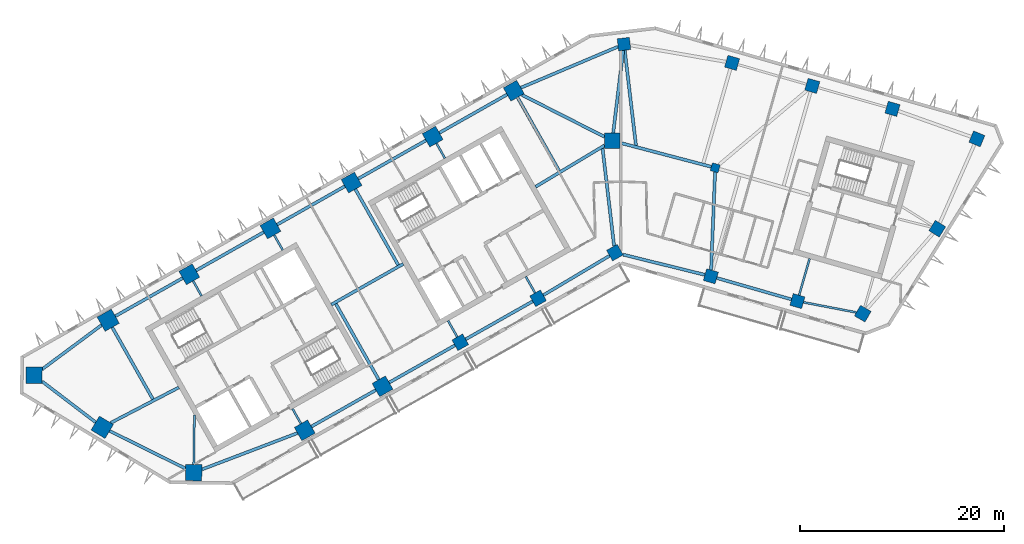
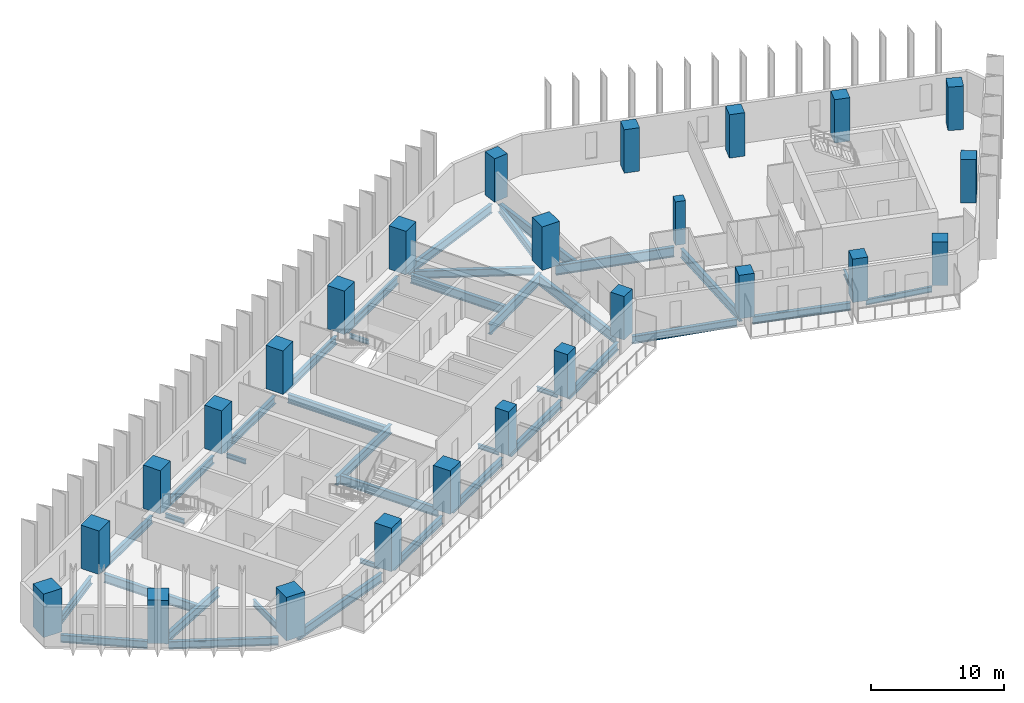
# One storey, part 1 of 10: 38 beams, 25 columns.
"""IFC4 building model written with IfcOpenShell, lengths in metres."""

import ifcopenshell
import ifcopenshell.guid

model = None  # the IFC model being written
_history = None  # IfcOwnerHistory: only IFC2X3 demands one
_inside = {}  # id of a spatial element -> (the spatial element, [elements in it])
_under = {}  # id of a project, library or spatial element -> (it, [spatial elements below it])
_declared = {}  # id of a project -> (the project, [libraries it declares])
_typed = {}  # id of a type object -> (the type object, [elements of that type])
_made_of = {}  # id of a material, layer set ... -> (it, [elements and type objects made of it])


def new_model(schema):
    """Start an empty IFC model of exactly this schema.

    Asked for "IFC4X3", IfcOpenShell would pick the latest addendum, in which some entities
    have other attributes; the version numbers below select the first issue.
    IFC2X3 requires an IfcOwnerHistory on every rooted entity: one is made here for all.
    """
    global model, _history
    if schema == "IFC4X3":
        model = ifcopenshell.file(schema_version=(4, 3, 0, 0))
    else:
        model = ifcopenshell.file(schema=schema)
    _inside.clear()
    _under.clear()
    _declared.clear()
    _typed.clear()
    _made_of.clear()
    _history = None
    if model.schema == "IFC2X3":
        org = make("IfcOrganization", Name="unknown")
        user = make(
            "IfcPersonAndOrganization",
            ThePerson=make("IfcPerson", FamilyName="unknown"),
            TheOrganization=org,
        )
        app = make(
            "IfcApplication",
            ApplicationDeveloper=org,
            Version="unknown",
            ApplicationFullName="unknown",
            ApplicationIdentifier="unknown",
        )
        _history = make(
            "IfcOwnerHistory",
            OwningUser=user,
            OwningApplication=app,
            ChangeAction="ADDED",
            CreationDate=0,
        )
    return model


def make(cls, **values):
    """One entity of the class cls with the attributes given. An attribute that is None is left unset."""
    return model.create_entity(
        cls, **{name: value for name, value in values.items() if value is not None}
    )


def rooted(cls, **values):
    """An entity with a GlobalId (a new one), such as an element, a storey or a relation."""
    return make(cls, GlobalId=ifcopenshell.guid.new(), OwnerHistory=_history, **values)


def si_unit(unit_type, name, prefix=None):
    """IfcSIUnit, for example si_unit("LENGTHUNIT", "METRE", prefix="MILLI")."""
    return make("IfcSIUnit", UnitType=unit_type, Prefix=prefix, Name=name)


def assignment(units):
    """IfcUnitAssignment: the units of a project."""
    return None if units is None else make("IfcUnitAssignment", Units=units)


def point(xyz):
    """IfcCartesianPoint."""
    return None if xyz is None else make("IfcCartesianPoint", Coordinates=xyz)


def direction(xyz):
    """IfcDirection."""
    return None if xyz is None else make("IfcDirection", DirectionRatios=xyz)


def frame(location, z_axis=None, x_axis=None):
    """IfcAxis2Placement3D, a coordinate frame: its origin and axes. An axis left out is left unset."""
    return make(
        "IfcAxis2Placement3D",
        Location=point(location),
        Axis=direction(z_axis),
        RefDirection=direction(x_axis),
    )


def frame_2d(location, x_axis=None):
    """IfcAxis2Placement2D, a coordinate frame in the plane: its origin and x axis."""
    return make(
        "IfcAxis2Placement2D", Location=point(location), RefDirection=direction(x_axis)
    )


def origin():
    """The frame at (0, 0, 0) with its axes left unset."""
    return frame((0.0, 0.0, 0.0))


def origin_2d():
    """The frame at (0, 0) in the plane with its x axis left unset."""
    return frame_2d((0.0, 0.0))


def place(relative_to, where):
    """IfcLocalPlacement: puts the frame where relative to a parent placement (None: the world)."""
    return make(
        "IfcLocalPlacement", PlacementRelTo=relative_to, RelativePlacement=where
    )


def context(
    kind, dimensions, precision=None, world=None, true_north=None, identifier=None
):
    """IfcGeometricRepresentationContext, for example the 3D "Model" context."""
    return make(
        "IfcGeometricRepresentationContext",
        ContextIdentifier=identifier,
        ContextType=kind,
        CoordinateSpaceDimension=dimensions,
        Precision=precision,
        WorldCoordinateSystem=world,
        TrueNorth=true_north,
    )


def subcontext(parent, identifier, kind, view, scale=None):
    """IfcGeometricRepresentationSubContext, for example "Body" below "Model"."""
    return make(
        "IfcGeometricRepresentationSubContext",
        ContextIdentifier=identifier,
        ContextType=kind,
        ParentContext=parent,
        TargetScale=scale,
        TargetView=view,
    )


def project(units=None, contexts=None):
    """IfcProject with its units and contexts."""
    return rooted(
        "IfcProject",
        Name="project",
        RepresentationContexts=contexts,
        UnitsInContext=assignment(units),
    )


def spatial(cls, under=None, at=None, **own):
    """A site, building, storey or space (cls), placed at a placement, below another one or the project."""
    s = rooted(cls, ObjectPlacement=at, **own)
    if under is not None:
        _under.setdefault(under.id(), (under, []))[1].append(s)
    return s


def profile(cls, at=None, kind="AREA", **sizes):
    """A parametric profile (cls). Its sizes go by their IFC names, for example OverallWidth=200.0."""
    return make(cls, ProfileType=kind, Position=at, **sizes)


def rectangle(**sizes):
    """IfcRectangleProfileDef."""
    return profile("IfcRectangleProfileDef", **sizes)


def i_section(**sizes):
    """IfcIShapeProfileDef."""
    return profile("IfcIShapeProfileDef", **sizes)


def extrude(swept, where, along, depth):
    """IfcExtrudedAreaSolid: the profile swept, set in the frame where, extruded along a direction by depth."""
    return make(
        "IfcExtrudedAreaSolid",
        SweptArea=swept,
        Position=where,
        ExtrudedDirection=direction(along),
        Depth=depth,
    )


def shape(context_of_items, identifier, shape_type, items):
    """IfcShapeRepresentation: the items that make up one representation, for example the "Body"."""
    return make(
        "IfcShapeRepresentation",
        ContextOfItems=context_of_items,
        RepresentationIdentifier=identifier,
        RepresentationType=shape_type,
        Items=items,
    )


def material(Name=None, Category=None):
    """IfcMaterial."""
    return make("IfcMaterial", Name=Name, Category=Category)


def material_profile(
    of_material, cross_section, Name=None, Category=None, Priority=None
):
    """IfcMaterialProfile: a cross section and its material."""
    return make(
        "IfcMaterialProfile",
        Name=Name,
        Material=of_material,
        Profile=cross_section,
        Priority=Priority,
        Category=Category,
    )


def profile_set(profiles, Name=None, composite=None):
    """IfcMaterialProfileSet."""
    return make(
        "IfcMaterialProfileSet",
        Name=Name,
        MaterialProfiles=profiles,
        CompositeProfile=composite,
    )


def made_of(thing, what):
    """Note that an element or type object is made of a material, layer set ...; save() writes the relation."""
    if what is not None:
        _made_of.setdefault(what.id(), (what, []))[1].append(thing)
    return thing


def type_object(cls, material=None, **own):
    """A type object (cls), such as IfcWallType, which elements share."""
    return made_of(rooted(cls, **own), material)


def element(
    cls,
    number,
    at=None,
    inside=None,
    cuts=None,
    type_object=None,
    material=None,
    context=None,
    identifier="Body",
    shape_type=None,
    held_by="IfcProductDefinitionShape",
    body=None,
    shapes=None,
    **own,
):
    """One element of the class cls, such as IfcWall. Its Tag is "e" and its number.

    at: its placement. inside: the storey or other place that contains it. cuts: it is an
    opening in that element (IfcRelVoidsElement). A single representation is given by context,
    identifier, shape_type and body (its items); several are given by shapes. held_by: the class
    of the entity that holds the representations. save() writes the other relations.
    """
    e = rooted(cls, Tag="e%d" % number, ObjectPlacement=at, **own)
    if body is not None:
        shapes = [shape(context, identifier, shape_type, body)]
    if shapes is not None:
        e.Representation = make(held_by, Representations=shapes)
    if inside is not None:
        _inside.setdefault(inside.id(), (inside, []))[1].append(e)
    if cuts is not None:
        rooted(
            "IfcRelVoidsElement", RelatingBuildingElement=cuts, RelatedOpeningElement=e
        )
    if type_object is not None:
        _typed.setdefault(type_object.id(), (type_object, []))[1].append(e)
    return made_of(e, material)


def aggregate(whole, parts):
    """IfcRelAggregates: a whole, such as a stair, and the parts it consists of."""
    return rooted("IfcRelAggregates", RelatingObject=whole, RelatedObjects=parts)


def save(model, path):
    """Write the relations noted so far, then the file.

    IfcRelAggregates (storeys below a building ...), IfcRelContainedInSpatialStructure (elements
    in a storey), IfcRelDefinesByType, IfcRelAssociatesMaterial and IfcRelDeclares: one each for
    every whole, place, type object, material and project.
    """
    for whole, parts in _under.values():
        aggregate(whole, parts)
    for where, things in _inside.values():
        rooted(
            "IfcRelContainedInSpatialStructure",
            RelatedElements=things,
            RelatingStructure=where,
        )
    for kind, things in _typed.values():
        rooted("IfcRelDefinesByType", RelatedObjects=things, RelatingType=kind)
    for what, things in _made_of.values():
        rooted("IfcRelAssociatesMaterial", RelatedObjects=things, RelatingMaterial=what)
    for by, libraries in _declared.values():
        rooted("IfcRelDeclares", RelatingContext=by, RelatedDefinitions=libraries)
    model.write(path)


model = new_model("IFC4")

# Units and contexts
model_context = context("Model", 3, precision=1e-05, world=origin(), true_north=direction((0.0, 1.0)))
body_context = subcontext(model_context, "Body", "Model", "MODEL_VIEW")
ifc_project = project(units=[si_unit("LENGTHUNIT", "METRE"), si_unit("AREAUNIT", "SQUARE_METRE"), si_unit("VOLUMEUNIT", "CUBIC_METRE"), si_unit("PLANEANGLEUNIT", "RADIAN"), si_unit("MASSUNIT", "GRAM", prefix="KILO")], contexts=[model_context])

# Site, building, storey
site_placement = place(None, origin())
site = spatial("IfcSite", under=ifc_project, at=site_placement, CompositionType="ELEMENT")
building_placement = place(site_placement, origin())
building = spatial("IfcBuilding", under=site, at=building_placement, Name="Binnacle Exchange Tower", CompositionType="ELEMENT")
storey_placement = place(building_placement, frame((0.0, 0.0, 162.89990234375)))
storey = spatial("IfcBuildingStorey", under=building, at=storey_placement, Name="L34", CompositionType="ELEMENT", Elevation=162.89990234375)

# Columns
ifc_material_1 = material(Name="Concrete C60/75", Category="concrete")
ifc_material_profile_1 = material_profile(ifc_material_1, rectangle(XDim=0.800048828125, YDim=0.800048828125, at=origin_2d()), Name="Column 800x800 C60/75")
ifc_profile_set_1 = profile_set([ifc_material_profile_1], Name="Concrete C60/75")
column_type_1 = type_object("IfcColumnType", Name="Column 800x800 C60/75", PredefinedType="COLUMN", material=ifc_profile_set_1)
column_placement = place(storey_placement, frame((9.240966796875, 57.35009765625, 0.0), z_axis=(0.0, 0.0, 1.0), x_axis=(0.961261695938, -0.275637355817, 0.0)))
element("IfcColumn", 1, at=column_placement, inside=storey, type_object=column_type_1, Name="S:COL:C19:L34", PredefinedType="COLUMN", context=body_context, shape_type="SweptSolid", body=[
    extrude(rectangle(XDim=0.800048828125, YDim=0.800048828125, at=origin_2d()), origin(), (0.0, 0.0, 1.0), 4.0),
])
ifc_material_2 = material(Name="Concrete C70/85", Category="concrete")
ifc_material_profile_2 = material_profile(ifc_material_2, rectangle(XDim=1.199951171875, YDim=1.199951171875, at=origin_2d()), Name="Mega column 1200x1200 C70/85")
ifc_profile_set_2 = profile_set([ifc_material_profile_2], Name="Concrete C70/85")
column_type_2 = type_object("IfcColumnType", Name="Mega column 1200x1200 C70/85", PredefinedType="COLUMN", material=ifc_profile_set_2)
for number, where, z_axis, x_axis, name in (
    (2, (26.602783203125, 63.12353515625, 0.0), (0.0, 0.0, 1.0), (-0.961261695938, 0.275637355817, 0.0), "S:COL:MC52:L34"),
    (3, (18.746337890625, 65.376220703125, 0.0), (0.0, 0.0, 1.0), (-0.961261695938, 0.275637355817, 0.0), "S:COL:MC50:L34"),
    (4, (10.889892578125, 67.62890625, 0.0), (0.0, 0.0, 1.0), (-0.961261695938, 0.275637355817, 0.0), "S:COL:MC48:L34"),
    (5, (0.300048828125, 69.464111328125, 0.0), (0.0, 0.0, 1.0), (-0.993068456955, -0.117537397458, 0.0), "S:COL:MC47:L34"),
    (6, (-15.736328125, 40.257080078125, 0.0), (0.0, 0.0, 1.0), (0.87035569594, 0.492423560103, 0.0), "S:COL:MC24:L34"),
    (7, (-8.116943359375, 44.568115234375, 0.0), (0.0, 0.0, 1.0), (0.87035569594, 0.492423560103, 0.0), "S:COL:MC35:L34"),
    (8, (-0.5908203125, 49.04443359375, 0.0), (0.0, 0.0, 1.0), (0.87035569594, 0.492423560103, 0.0), "S:COL:MC46:L34"),
    (9, (8.8095703125, 46.722412109375, 0.0), (0.0, 0.0, 1.0), (0.961261695938, -0.275637355817, 0.0), "S:COL:MC49:L34"),
    (10, (17.2880859375, 44.291015625, 0.0), (0.0, 0.0, 1.0), (0.961261695938, -0.275637355817, 0.0), "S:COL:MC51:L34"),
    (11, (23.690185546875, 43.062744140625, 0.0), (0.0, 0.0, 1.0), (-0.86532642813, 0.501208711795, 0.0), "S:COL:MC53:L34"),
    (12, (30.989501953125, 51.38623046875, 0.0), (0.0, 0.0, 1.0), (0.529919264233, 0.848048096156, 0.0), "S:COL:MC55:L34"),
    (13, (34.870361328125, 60.18701171875, 0.0), (0.0, 0.0, 1.0), (-0.922814001807, 0.385245789164, 0.0), "S:COL:MC54:L34"),
):
    element("IfcColumn", number, at=place(storey_placement, frame(where, z_axis=z_axis, x_axis=x_axis)), inside=storey, type_object=column_type_2, Name=name, PredefinedType="COLUMN", context=body_context, shape_type="SweptSolid", body=[
        extrude(rectangle(XDim=1.199951171875, YDim=1.199951171875, at=origin_2d()), origin(), (0.0, 0.0, 1.0), 4.0),
    ])
ifc_material_profile_3 = material_profile(ifc_material_2, rectangle(XDim=1.5, YDim=1.5, at=origin_2d()), Name="Mega column 1500x1500 C70/85")
ifc_profile_set_3 = profile_set([ifc_material_profile_3], Name="Concrete C70/85")
column_type_3 = type_object("IfcColumnType", Name="Mega column 1500x1500 C70/85", PredefinedType="COLUMN", material=ifc_profile_set_3)
for number, where, z_axis, x_axis, name in (
    (14, (-10.4951171875, 64.901611328125, 0.0), (0.0, 0.0, 1.0), (-0.87035569594, -0.492423560103, 0.0), "S:COL:MC38:L34"),
    (15, (-18.44140625, 60.406005859375, 0.0), (0.0, 0.0, 1.0), (-0.87035569594, -0.492423560103, 0.0), "S:COL:MC29:L34"),
    (16, (-26.3876953125, 55.91015625, 0.0), (0.0, 0.0, 1.0), (-0.87035569594, -0.492423560103, 0.0), "S:COL:MC21:L34"),
    (17, (-34.333740234375, 51.414306640625, 0.0), (0.0, 0.0, 1.0), (-0.87035569594, -0.492423560103, 0.0), "S:COL:MC13:L34"),
    (18, (-42.280029296875, 46.918701171875, 0.0), (0.0, 0.0, 1.0), (-0.87035569594, -0.492423560103, 0.0), "S:COL:MC08:L34"),
    (19, (-30.9755859375, 31.63525390625, 0.0), (0.0, 0.0, 1.0), (0.87035569594, 0.492423560103, 0.0), "S:COL:MC07:L34"),
    (20, (-23.35595703125, 35.9462890625, 0.0), (0.0, 0.0, 1.0), (0.87035569594, 0.492423560103, 0.0), "S:COL:MC16:L34"),
    (21, (-0.85009765625, 60.0, 0.0), (0.0, 0.0, 1.0), (0.0, 1.0, 0.0), "S:COL:MC45:L34"),
):
    element("IfcColumn", number, at=place(storey_placement, frame(where, z_axis=z_axis, x_axis=x_axis)), inside=storey, type_object=column_type_3, Name=name, PredefinedType="COLUMN", context=body_context, shape_type="SweptSolid", body=[
        extrude(rectangle(XDim=1.5, YDim=1.5, at=origin_2d()), origin(), (0.0, 0.0, 1.0), 4.0),
    ])
ifc_material_profile_4 = material_profile(ifc_material_2, rectangle(XDim=1.60009765625, YDim=1.60009765625, at=origin_2d()), Name="Mega column 1600x1600 C70/85")
ifc_profile_set_4 = profile_set([ifc_material_profile_4], Name="Concrete C70/85")
column_type_4 = type_object("IfcColumnType", Name="Mega column 1600x1600 C70/85", PredefinedType="COLUMN", material=ifc_profile_set_4)
for number, where, z_axis, x_axis, name in (
    (22, (-50.226318359375, 42.4228515625, 0.0), (0.0, 0.0, 1.0), (-0.87035569594, -0.492423560103, 0.0), "S:COL:MC04:L34"),
    (23, (-57.492919921875, 37.02734375, 0.0), (0.0, 0.0, 1.0), (-0.013089595571, -0.999914327574, 0.0), "S:COL:MC02:L34"),
    (24, (-50.81201171875, 31.930908203125, 0.0), (0.0, 0.0, 1.0), (0.857167300702, -0.51503807491, 0.0), "S:COL:MC01:L34"),
    (25, (-41.857666015625, 27.494873046875, 0.0), (0.0, 0.0, 1.0), (0.999914327574, -0.013089595571, 0.0), "S:COL:MC03:L34"),
):
    element("IfcColumn", number, at=place(storey_placement, frame(where, z_axis=z_axis, x_axis=x_axis)), inside=storey, type_object=column_type_4, Name=name, PredefinedType="COLUMN", context=body_context, shape_type="SweptSolid", body=[
        extrude(rectangle(XDim=1.60009765625, YDim=1.60009765625, at=origin_2d()), origin(), (0.0, 0.0, 1.0), 4.0),
    ])

# Beams
ifc_material_3 = material(Name="Steel S355 (SHN355)", Category="steel")
ifc_material_profile_5 = material_profile(ifc_material_3, i_section(OverallWidth=0.200927734375, OverallDepth=0.506103515625, WebThickness=0.010986328125, FlangeThickness=0.01904296875, FilletRadius=0.02001953125, at=origin_2d()), Name="H 506x201x11x19")
ifc_profile_set_5 = profile_set([ifc_material_profile_5], Name="Steel S355 (SHN355)")
beam_type_1 = type_object("IfcBeamType", Name="Edge girder H 506x201x11x19 Steel S355 (SHN355)", PredefinedType="SPANDREL", material=ifc_profile_set_5)
beam_1_placement = place(storey_placement, frame((17.8798828125, 44.177490234375, -0.572998046875), z_axis=(0.982085171807, -0.188437563446, 0.0), x_axis=(0.188437563446, 0.982085171807, 0.0)))
element("IfcBeam", 26, at=beam_1_placement, inside=storey, type_object=beam_type_1, Name="S:BM:edge:L34:028", PredefinedType="SPANDREL", context=body_context, shape_type="SweptSolid", body=[
    extrude(i_section(OverallWidth=0.200927734375, OverallDepth=0.506103515625, WebThickness=0.010986328125, FlangeThickness=0.01904296875, FilletRadius=0.02001953125, at=origin_2d()), origin(), (0.0, 0.0, 1.0), 5.281005859375),
])
ifc_material_profile_6 = material_profile(ifc_material_3, i_section(OverallWidth=0.300048828125, OverallDepth=0.699951171875, WebThickness=0.012939453125, FlangeThickness=0.02392578125, FilletRadius=0.028076171875, at=origin_2d()), Name="H 700x300x13x24")
ifc_profile_set_6 = profile_set([ifc_material_profile_6], Name="Steel S355 (SHN355)")
beam_type_2 = type_object("IfcBeamType", Name="Edge girder H 700x300x13x24 Steel S355 (SHN355)", PredefinedType="SPANDREL", material=ifc_profile_set_6)
beam_2_placement = place(storey_placement, frame((-56.70068359375, 36.423095703125, -0.669921875), z_axis=(0.795078424379, -0.606506635649, 0.0), x_axis=(0.606506635649, 0.795078424379, 0.0)))
element("IfcBeam", 27, at=beam_2_placement, inside=storey, type_object=beam_type_2, Name="S:BM:edge:L34:011", PredefinedType="SPANDREL", context=body_context, shape_type="SweptSolid", body=[
    extrude(i_section(OverallWidth=0.300048828125, OverallDepth=0.699951171875, WebThickness=0.012939453125, FlangeThickness=0.02392578125, FilletRadius=0.028076171875, at=origin_2d()), origin(), (0.0, 0.0, 1.0), 6.6015625),
])
beam_3_placement = place(storey_placement, frame((-50.87353515625, 41.9423828125, -0.669921875), z_axis=(-0.802872533272, -0.596150732044, 0.0), x_axis=(0.596150732044, -0.802872533272, 0.0)))
element("IfcBeam", 28, at=beam_3_placement, inside=storey, type_object=beam_type_2, Name="S:BM:edge:L34:012", PredefinedType="SPANDREL", context=body_context, shape_type="SweptSolid", body=[
    extrude(i_section(OverallWidth=0.300048828125, OverallDepth=0.699951171875, WebThickness=0.012939453125, FlangeThickness=0.02392578125, FilletRadius=0.028076171875, at=origin_2d()), origin(), (0.0, 0.0, 1.0), 7.238525390625),
])
beam_4_placement = place(storey_placement, frame((-50.0927734375, 31.57470703125, -0.669921875), z_axis=(0.896061869104, -0.443929191131, 0.0), x_axis=(0.443929191131, 0.896061869104, 0.0)))
element("IfcBeam", 29, at=beam_4_placement, inside=storey, type_object=beam_type_2, Name="S:BM:edge:L34:013", PredefinedType="SPANDREL", context=body_context, shape_type="SweptSolid", body=[
    extrude(i_section(OverallWidth=0.300048828125, OverallDepth=0.699951171875, WebThickness=0.012939453125, FlangeThickness=0.02392578125, FilletRadius=0.028076171875, at=origin_2d()), origin(), (0.0, 0.0, 1.0), 8.30322265625),
])
beam_5_placement = place(storey_placement, frame((-42.932861328125, 46.54931640625, -0.669921875), z_axis=(-0.870352192811, -0.492429751811, 0.0), x_axis=(0.492429751811, -0.870352192811, 0.0)))
element("IfcBeam", 30, at=beam_5_placement, inside=storey, type_object=beam_type_2, Name="S:BM:edge:L34:014", PredefinedType="SPANDREL", context=body_context, shape_type="SweptSolid", body=[
    extrude(i_section(OverallWidth=0.300048828125, OverallDepth=0.699951171875, WebThickness=0.012939453125, FlangeThickness=0.02392578125, FilletRadius=0.028076171875, at=origin_2d()), origin(), (0.0, 0.0, 1.0), 7.57958984375),
])
beam_6_placement = place(storey_placement, frame((-34.986572265625, 51.045166015625, -0.669921875), z_axis=(-0.870355964277, -0.492423085818, 0.0), x_axis=(0.492423085818, -0.870355964277, 0.0)))
element("IfcBeam", 31, at=beam_6_placement, inside=storey, type_object=beam_type_2, Name="S:BM:edge:L34:016", PredefinedType="SPANDREL", context=body_context, shape_type="SweptSolid", body=[
    extrude(i_section(OverallWidth=0.300048828125, OverallDepth=0.699951171875, WebThickness=0.012939453125, FlangeThickness=0.02392578125, FilletRadius=0.028076171875, at=origin_2d()), origin(), (0.0, 0.0, 1.0), 7.6298828125),
])
beam_7_placement = place(storey_placement, frame((-30.32275390625, 32.004638671875, -0.669921875), z_axis=(0.870355920795, 0.492423162674, 0.0), x_axis=(-0.492423162674, 0.870355920795, 0.0)))
element("IfcBeam", 32, at=beam_7_placement, inside=storey, type_object=beam_type_2, Name="S:BM:edge:L34:017", PredefinedType="SPANDREL", context=body_context, shape_type="SweptSolid", body=[
    extrude(i_section(OverallWidth=0.300048828125, OverallDepth=0.699951171875, WebThickness=0.012939453125, FlangeThickness=0.02392578125, FilletRadius=0.028076171875, at=origin_2d()), origin(), (0.0, 0.0, 1.0), 7.25439453125),
])
beam_8_placement = place(storey_placement, frame((-27.040283203125, 55.541015625, -0.669921875), z_axis=(-0.870342250182, -0.492447324643, 0.0), x_axis=(0.492447324643, -0.870342250182, 0.0)))
element("IfcBeam", 33, at=beam_8_placement, inside=storey, type_object=beam_type_2, Name="S:BM:edge:L34:018", PredefinedType="SPANDREL", context=body_context, shape_type="SweptSolid", body=[
    extrude(i_section(OverallWidth=0.300048828125, OverallDepth=0.699951171875, WebThickness=0.012939453125, FlangeThickness=0.02392578125, FilletRadius=0.028076171875, at=origin_2d()), origin(), (0.0, 0.0, 1.0), 7.6298828125),
])
beam_9_placement = place(storey_placement, frame((-22.703125, 36.3154296875, -0.669921875), z_axis=(0.87035151347, 0.49243095252, 0.0), x_axis=(-0.49243095252, 0.87035151347, 0.0)))
element("IfcBeam", 34, at=beam_9_placement, inside=storey, type_object=beam_type_2, Name="S:BM:edge:L34:019", PredefinedType="SPANDREL", context=body_context, shape_type="SweptSolid", body=[
    extrude(i_section(OverallWidth=0.300048828125, OverallDepth=0.699951171875, WebThickness=0.012939453125, FlangeThickness=0.02392578125, FilletRadius=0.028076171875, at=origin_2d()), origin(), (0.0, 0.0, 1.0), 7.404541015625),
])
beam_10_placement = place(storey_placement, frame((-19.093994140625, 60.03662109375, -0.669921875), z_axis=(-0.870363722936, -0.492409372165, 0.0), x_axis=(0.492409372165, -0.870363722936, 0.0)))
element("IfcBeam", 35, at=beam_10_placement, inside=storey, type_object=beam_type_2, Name="S:BM:edge:L34:020", PredefinedType="SPANDREL", context=body_context, shape_type="SweptSolid", body=[
    extrude(i_section(OverallWidth=0.300048828125, OverallDepth=0.699951171875, WebThickness=0.012939453125, FlangeThickness=0.02392578125, FilletRadius=0.028076171875, at=origin_2d()), origin(), (0.0, 0.0, 1.0), 7.6298828125),
])
beam_11_placement = place(storey_placement, frame((-15.214111328125, 40.552734375, -0.669921875), z_axis=(0.870353295418, 0.492427802988, 0.0), x_axis=(-0.492427802988, 0.870353295418, 0.0)))
element("IfcBeam", 36, at=beam_11_placement, inside=storey, type_object=beam_type_2, Name="S:BM:edge:L34:021", PredefinedType="SPANDREL", context=body_context, shape_type="SweptSolid", body=[
    extrude(i_section(OverallWidth=0.300048828125, OverallDepth=0.699951171875, WebThickness=0.012939453125, FlangeThickness=0.02392578125, FilletRadius=0.028076171875, at=origin_2d()), origin(), (0.0, 0.0, 1.0), 7.554443359375),
])
beam_12_placement = place(storey_placement, frame((-11.14794921875, 64.532470703125, -0.669921875), z_axis=(-0.870355964277, -0.492423085818, 0.0), x_axis=(0.492423085818, -0.870355964277, 0.0)))
element("IfcBeam", 37, at=beam_12_placement, inside=storey, type_object=beam_type_2, Name="S:BM:edge:L34:022", PredefinedType="SPANDREL", context=body_context, shape_type="SweptSolid", body=[
    extrude(i_section(OverallWidth=0.300048828125, OverallDepth=0.699951171875, WebThickness=0.012939453125, FlangeThickness=0.02392578125, FilletRadius=0.028076171875, at=origin_2d()), origin(), (0.0, 0.0, 1.0), 7.6298828125),
])
beam_13_placement = place(storey_placement, frame((-7.60107421875, 44.875, -0.669921875), z_axis=(0.85946222832, 0.511199254783, 0.0), x_axis=(-0.511199254783, 0.85946222832, 0.0)))
element("IfcBeam", 38, at=beam_13_placement, inside=storey, type_object=beam_type_2, Name="S:BM:edge:L34:023", PredefinedType="SPANDREL", context=body_context, shape_type="SweptSolid", body=[
    extrude(i_section(OverallWidth=0.300048828125, OverallDepth=0.699951171875, WebThickness=0.012939453125, FlangeThickness=0.02392578125, FilletRadius=0.028076171875, at=origin_2d()), origin(), (0.0, 0.0, 1.0), 7.556396484375),
])
beam_14_placement = place(storey_placement, frame((0.21044921875, 48.846435546875, -0.669921875), z_axis=(0.970817017645, -0.239821429924, 0.0), x_axis=(0.239821429924, 0.970817017645, 0.0)))
element("IfcBeam", 39, at=beam_14_placement, inside=storey, type_object=beam_type_2, Name="S:BM:edge:L34:025", PredefinedType="SPANDREL", context=body_context, shape_type="SweptSolid", body=[
    extrude(i_section(OverallWidth=0.300048828125, OverallDepth=0.699951171875, WebThickness=0.012939453125, FlangeThickness=0.02392578125, FilletRadius=0.028076171875, at=origin_2d()), origin(), (0.0, 0.0, 1.0), 8.257080078125),
])
beam_15_placement = place(storey_placement, frame((9.38623046875, 46.556884765625, -0.669921875), z_axis=(0.961266012815, -0.275622300635, 0.0), x_axis=(0.275622300635, 0.961266012815, 0.0)))
element("IfcBeam", 40, at=beam_15_placement, inside=storey, type_object=beam_type_2, Name="S:BM:edge:L34:026", PredefinedType="SPANDREL", context=body_context, shape_type="SweptSolid", body=[
    extrude(i_section(OverallWidth=0.300048828125, OverallDepth=0.699951171875, WebThickness=0.012939453125, FlangeThickness=0.02392578125, FilletRadius=0.028076171875, at=origin_2d()), origin(), (0.0, 0.0, 1.0), 7.620361328125),
])
ifc_material_profile_7 = material_profile(ifc_material_3, i_section(OverallWidth=0.300048828125, OverallDepth=0.800048828125, WebThickness=0.013916015625, FlangeThickness=0.02587890625, FilletRadius=0.028076171875, at=origin_2d()), Name="H 800x300x14x26")
ifc_profile_set_7 = profile_set([ifc_material_profile_7], Name="Steel S355 (SHN355)")
beam_type_3 = type_object("IfcBeamType", Name="Edge girder H 800x300x14x26 Steel S355 (SHN355)", PredefinedType="SPANDREL", material=ifc_profile_set_7)
beam_16_placement = place(storey_placement, frame((-41.0537109375, 27.80078125, -0.719970703125), z_axis=(0.934633884233, 0.355611448695, 0.0), x_axis=(-0.355611448695, 0.934633884233, 0.0)))
element("IfcBeam", 41, at=beam_16_placement, inside=storey, type_object=beam_type_3, Name="S:BM:edge:L34:015", PredefinedType="SPANDREL", context=body_context, shape_type="SweptSolid", body=[
    extrude(i_section(OverallWidth=0.300048828125, OverallDepth=0.800048828125, WebThickness=0.013916015625, FlangeThickness=0.02587890625, FilletRadius=0.028076171875, at=origin_2d()), origin(), (0.0, 0.0, 1.0), 10.024169921875),
])
beam_17_placement = place(storey_placement, frame((-0.275390625, 69.220947265625, -0.719970703125), z_axis=(-0.921111875234, -0.389297974953, 0.0), x_axis=(0.389297974953, -0.921111875234, 0.0)))
element("IfcBeam", 42, at=beam_17_placement, inside=storey, type_object=beam_type_3, Name="S:BM:edge:L34:024", PredefinedType="SPANDREL", context=body_context, shape_type="SweptSolid", body=[
    extrude(i_section(OverallWidth=0.300048828125, OverallDepth=0.800048828125, WebThickness=0.013916015625, FlangeThickness=0.02587890625, FilletRadius=0.028076171875, at=origin_2d()), origin(), (0.0, 0.0, 1.0), 10.340087890625),
])
ifc_material_profile_8 = material_profile(ifc_material_3, i_section(OverallWidth=0.199951171875, OverallDepth=0.39990234375, WebThickness=0.008056640625, FlangeThickness=0.012939453125, FilletRadius=0.01611328125, at=origin_2d()), Name="H 400x200x8x13")
ifc_profile_set_8 = profile_set([ifc_material_profile_8], Name="Steel S355 (SHN355)")
beam_type_4 = type_object("IfcBeamType", Name="Floor beam H 400x200x8x13 Steel S355 (SHN355)", PredefinedType="BEAM", material=ifc_profile_set_8)
beam_18_placement = place(storey_placement, frame((-41.91064453125, 46.265869140625, -0.52001953125), z_axis=(0.49243456751, -0.870349468157, 0.0), x_axis=(0.870349468157, 0.49243456751, 0.0)))
element("IfcBeam", 43, at=beam_18_placement, inside=storey, type_object=beam_type_4, Name="S:BM:cross:L34:035", PredefinedType="BEAM", context=body_context, shape_type="SweptSolid", body=[
    extrude(i_section(OverallWidth=0.199951171875, OverallDepth=0.39990234375, WebThickness=0.008056640625, FlangeThickness=0.012939453125, FilletRadius=0.01611328125, at=origin_2d()), origin(), (0.0, 0.0, 1.0), 1.68408203125),
])
beam_19_placement = place(storey_placement, frame((-33.964599609375, 50.76171875, -0.52001953125), z_axis=(0.492482237839, -0.870322495063, 0.0), x_axis=(0.870322495063, 0.492482237839, 0.0)))
element("IfcBeam", 44, at=beam_19_placement, inside=storey, type_object=beam_type_4, Name="S:BM:cross:L34:037", PredefinedType="BEAM", context=body_context, shape_type="SweptSolid", body=[
    extrude(i_section(OverallWidth=0.199951171875, OverallDepth=0.39990234375, WebThickness=0.008056640625, FlangeThickness=0.012939453125, FilletRadius=0.01611328125, at=origin_2d()), origin(), (0.0, 0.0, 1.0), 1.6845703125),
])
for number, where, z_axis, x_axis, name in (
    (45, (-31.344970703125, 32.2880859375, -0.52001953125), (-0.49243456751, 0.870349468157, 0.0), (-0.870349468157, -0.49243456751, 0.0), "S:BM:cross:L34:038"),
    (46, (-18.072021484375, 59.753173828125, -0.52001953125), (0.49243456751, -0.870349468157, 0.0), (0.870349468157, 0.49243456751, 0.0), "S:BM:cross:L34:041"),
):
    element("IfcBeam", number, at=place(storey_placement, frame(where, z_axis=z_axis, x_axis=x_axis)), inside=storey, type_object=beam_type_4, Name=name, PredefinedType="BEAM", context=body_context, shape_type="SweptSolid", body=[
        extrude(i_section(OverallWidth=0.199951171875, OverallDepth=0.39990234375, WebThickness=0.008056640625, FlangeThickness=0.012939453125, FilletRadius=0.01611328125, at=origin_2d()), origin(), (0.0, 0.0, 1.0), 1.68408203125),
    ])
beam_20_placement = place(storey_placement, frame((-16.031982421875, 40.779296875, -0.52001953125), z_axis=(-0.492307212856, 0.870421511781, 0.0), x_axis=(-0.870421511781, -0.492307212856, 0.0)))
element("IfcBeam", 47, at=beam_20_placement, inside=storey, type_object=beam_type_4, Name="S:BM:cross:L34:042", PredefinedType="BEAM", context=body_context, shape_type="SweptSolid", body=[
    extrude(i_section(OverallWidth=0.199951171875, OverallDepth=0.39990234375, WebThickness=0.008056640625, FlangeThickness=0.012939453125, FilletRadius=0.01611328125, at=origin_2d()), origin(), (0.0, 0.0, 1.0), 1.83447265625),
])
beam_21_placement = place(storey_placement, frame((-8.412353515625, 45.09033203125, -0.52001953125), z_axis=(-0.492465079532, 0.87033220407, 0.0), x_axis=(-0.87033220407, -0.492465079532, 0.0)))
element("IfcBeam", 48, at=beam_21_placement, inside=storey, type_object=beam_type_4, Name="S:BM:cross:L34:044", PredefinedType="BEAM", context=body_context, shape_type="SweptSolid", body=[
    extrude(i_section(OverallWidth=0.199951171875, OverallDepth=0.39990234375, WebThickness=0.008056640625, FlangeThickness=0.012939453125, FilletRadius=0.01611328125, at=origin_2d()), origin(), (0.0, 0.0, 1.0), 1.834228515625),
])
ifc_material_profile_9 = material_profile(ifc_material_3, i_section(OverallWidth=0.199951171875, OverallDepth=0.5, WebThickness=0.010009765625, FlangeThickness=0.01611328125, FilletRadius=0.02001953125, at=origin_2d()), Name="H 500x200x10x16")
ifc_profile_set_9 = profile_set([ifc_material_profile_9], Name="Steel S355 (SHN355)")
beam_type_5 = type_object("IfcBeamType", Name="Floor beam H 500x200x10x16 Steel S355 (SHN355)", PredefinedType="BEAM", material=ifc_profile_set_9)
beam_22_placement = place(storey_placement, frame((17.45361328125, 44.867919921875, -0.56982421875), z_axis=(0.275644746045, 0.961259576794, 0.0), x_axis=(-0.961259576794, 0.275644746045, 0.0)))
element("IfcBeam", 49, at=beam_22_placement, inside=storey, type_object=beam_type_5, Name="S:BM:cross:L34:049", PredefinedType="BEAM", context=body_context, shape_type="SweptSolid", body=[
    extrude(i_section(OverallWidth=0.199951171875, OverallDepth=0.5, WebThickness=0.010009765625, FlangeThickness=0.01611328125, FilletRadius=0.02001953125, at=origin_2d()), origin(), (0.0, 0.0, 1.0), 3.735107421875),
])
ifc_material_profile_10 = material_profile(ifc_material_3, i_section(OverallWidth=0.200927734375, OverallDepth=0.60595703125, WebThickness=0.011962890625, FlangeThickness=0.02001953125, FilletRadius=0.02197265625, at=origin_2d()), Name="H 606x201x12x20")
ifc_profile_set_10 = profile_set([ifc_material_profile_10], Name="Steel S355 (SHN355)")
beam_type_6 = type_object("IfcBeamType", Name="Floor beam H 606x201x12x20 Steel S355 (SHN355)", PredefinedType="BEAM", material=ifc_profile_set_10)
beam_23_placement = place(storey_placement, frame((-41.84716796875, 28.294677734375, -0.622802734375), z_axis=(0.013085908175, 0.999914375838, 0.0), x_axis=(-0.999914375838, 0.013085908175, 0.0)))
element("IfcBeam", 50, at=beam_23_placement, inside=storey, type_object=beam_type_6, Name="S:BM:cross:L34:036", PredefinedType="BEAM", context=body_context, shape_type="SweptSolid", body=[
    extrude(i_section(OverallWidth=0.200927734375, OverallDepth=0.60595703125, WebThickness=0.011962890625, FlangeThickness=0.02001953125, FilletRadius=0.02197265625, at=origin_2d()), origin(), (0.0, 0.0, 1.0), 4.850830078125),
])
ifc_material_profile_11 = material_profile(ifc_material_3, i_section(OverallWidth=0.302001953125, OverallDepth=0.80810546875, WebThickness=0.01611328125, FlangeThickness=0.030029296875, FilletRadius=0.028076171875, at=origin_2d()), Name="H 808x302x16x30")
ifc_profile_set_11 = profile_set([ifc_material_profile_11], Name="Steel S355 (SHN355)")
beam_type_7 = type_object("IfcBeamType", Name="Floor beam H 808x302x16x30 Steel S355 (SHN355)", PredefinedType="BEAM", material=ifc_profile_set_11)
beam_24_placement = place(storey_placement, frame((-49.832275390625, 41.7265625, -0.723876953125), z_axis=(0.492430056331, -0.870352020519, 0.0), x_axis=(0.870352020519, 0.492430056331, 0.0)))
element("IfcBeam", 51, at=beam_24_placement, inside=storey, type_object=beam_type_7, Name="S:BM:cross:L34:034", PredefinedType="BEAM", context=body_context, shape_type="SweptSolid", body=[
    extrude(i_section(OverallWidth=0.302001953125, OverallDepth=0.80810546875, WebThickness=0.01611328125, FlangeThickness=0.030029296875, FilletRadius=0.028076171875, at=origin_2d()), origin(), (0.0, 0.0, 1.0), 8.09130859375),
])
for number, where, z_axis, x_axis, name in (
    (52, (-26.018310546875, 55.25732421875, -0.723876953125), (0.4924220214, -0.870356566495, 0.0), (0.870356566495, 0.4924220214, 0.0), "S:BM:cross:L34:039"),
    (53, (-23.725341796875, 36.59912109375, -0.723876953125), (-0.4924220214, 0.870356566495, 0.0), (-0.870356566495, -0.4924220214, 0.0), "S:BM:cross:L34:040"),
):
    element("IfcBeam", number, at=place(storey_placement, frame(where, z_axis=z_axis, x_axis=x_axis)), inside=storey, type_object=beam_type_7, Name=name, PredefinedType="BEAM", context=body_context, shape_type="SweptSolid", body=[
        extrude(i_section(OverallWidth=0.302001953125, OverallDepth=0.80810546875, WebThickness=0.01611328125, FlangeThickness=0.030029296875, FilletRadius=0.028076171875, at=origin_2d()), origin(), (0.0, 0.0, 1.0), 8.5341796875),
    ])
beam_25_placement = place(storey_placement, frame((-10.125732421875, 64.248779296875, -0.723876953125), z_axis=(0.492423973828, -0.870355461866, 0.0), x_axis=(0.870355461866, 0.492423973828, 0.0)))
element("IfcBeam", 54, at=beam_25_placement, inside=storey, type_object=beam_type_7, Name="S:BM:cross:L34:043", PredefinedType="BEAM", context=body_context, shape_type="SweptSolid", body=[
    extrude(i_section(OverallWidth=0.302001953125, OverallDepth=0.80810546875, WebThickness=0.01611328125, FlangeThickness=0.030029296875, FilletRadius=0.028076171875, at=origin_2d()), origin(), (0.0, 0.0, 1.0), 8.269287109375),
])
ifc_material_profile_12 = material_profile(ifc_material_3, i_section(OverallWidth=0.302001953125, OverallDepth=0.912109375, WebThickness=0.01806640625, FlangeThickness=0.033935546875, FilletRadius=0.028076171875, at=origin_2d()), Name="H 912x302x18x34")
ifc_profile_set_12 = profile_set([ifc_material_profile_12], Name="Steel S355 (SHN355)")
beam_type_8 = type_object("IfcBeamType", Name="Floor beam H 912x302x18x34 Steel S355 (SHN355)", PredefinedType="BEAM", material=ifc_profile_set_12)
beam_26_placement = place(storey_placement, frame((-0.66748046875, 49.690673828125, -0.77587890625), z_axis=(-0.117518220547, 0.993070726504, 0.0), x_axis=(-0.993070726504, -0.117518220547, 0.0)))
element("IfcBeam", 55, at=beam_26_placement, inside=storey, type_object=beam_type_8, Name="S:BM:cross:L34:045", PredefinedType="BEAM", context=body_context, shape_type="SweptSolid", body=[
    extrude(i_section(OverallWidth=0.302001953125, OverallDepth=0.912109375, WebThickness=0.01806640625, FlangeThickness=0.033935546875, FilletRadius=0.028076171875, at=origin_2d()), origin(), (0.0, 0.0, 1.0), 9.645751953125),
])
beam_27_placement = place(storey_placement, frame((0.37060546875, 68.868408203125, -0.77587890625), z_axis=(0.117552497625, -0.993066669616, 0.0), x_axis=(0.993066669616, 0.117552497625, 0.0)))
element("IfcBeam", 56, at=beam_27_placement, inside=storey, type_object=beam_type_8, Name="S:BM:cross:L34:046", PredefinedType="BEAM", context=body_context, shape_type="SweptSolid", body=[
    extrude(i_section(OverallWidth=0.302001953125, OverallDepth=0.912109375, WebThickness=0.01806640625, FlangeThickness=0.033935546875, FilletRadius=0.028076171875, at=origin_2d()), origin(), (0.0, 0.0, 1.0), 9.39990234375),
])
ifc_material_profile_13 = material_profile(ifc_material_3, i_section(OverallWidth=0.300048828125, OverallDepth=0.699951171875, WebThickness=0.012939453125, FlangeThickness=0.02392578125, FilletRadius=0.028076171875, at=origin_2d()), Name="H 700x300x13x24")
ifc_profile_set_13 = profile_set([ifc_material_profile_13], Name="Steel S355 (SHN355)")
beam_type_9 = type_object("IfcBeamType", Name="Spine girder H 700x300x13x24 Steel S355 (SHN355)", PredefinedType="BEAM", material=ifc_profile_set_13)
beam_28_placement = place(storey_placement, frame((-0.7587890625, 60.75, -0.669921875), z_axis=(0.120620829002, 0.992698652971, 0.0), x_axis=(-0.992698652971, 0.120620829002, 0.0)))
element("IfcBeam", 57, at=beam_28_placement, inside=storey, type_object=beam_type_9, Name="S:BM:spine:L34:005", PredefinedType="BEAM", context=body_context, shape_type="SweptSolid", body=[
    extrude(i_section(OverallWidth=0.300048828125, OverallDepth=0.699951171875, WebThickness=0.012939453125, FlangeThickness=0.02392578125, FilletRadius=0.028076171875, at=origin_2d()), origin(), (0.0, 0.0, 1.0), 8.160888671875),
])
ifc_material_profile_14 = material_profile(ifc_material_3, i_section(OverallWidth=0.302001953125, OverallDepth=0.7080078125, WebThickness=0.014892578125, FlangeThickness=0.028076171875, FilletRadius=0.028076171875, at=origin_2d()), Name="H 708x302x15x28")
ifc_profile_set_14 = profile_set([ifc_material_profile_14], Name="Steel S355 (SHN355)")
beam_type_10 = type_object("IfcBeamType", Name="Spine girder H 708x302x15x28 Steel S355 (SHN355)", PredefinedType="BEAM", material=ifc_profile_set_14)
beam_29_placement = place(storey_placement, frame((-1.60009765625, 60.381103515625, -0.673828125), z_axis=(-0.891476459322, 0.453067017641, 0.0), x_axis=(-0.453067017641, -0.891476459322, 0.0)))
element("IfcBeam", 58, at=beam_29_placement, inside=storey, type_object=beam_type_10, Name="S:BM:spine:L34:004", PredefinedType="BEAM", context=body_context, shape_type="SweptSolid", body=[
    extrude(i_section(OverallWidth=0.302001953125, OverallDepth=0.7080078125, WebThickness=0.014892578125, FlangeThickness=0.028076171875, FilletRadius=0.028076171875, at=origin_2d()), origin(), (0.0, 0.0, 1.0), 9.07763671875),
])
ifc_material_profile_15 = material_profile(ifc_material_3, i_section(OverallWidth=0.302001953125, OverallDepth=0.80810546875, WebThickness=0.01611328125, FlangeThickness=0.030029296875, FilletRadius=0.028076171875, at=origin_2d()), Name="H 808x302x16x30")
ifc_profile_set_15 = profile_set([ifc_material_profile_15], Name="Steel S355 (SHN355)")
beam_type_11 = type_object("IfcBeamType", Name="Spine girder H 808x302x16x30 Steel S355 (SHN355)", PredefinedType="BEAM", material=ifc_profile_set_15)
beam_30_placement = place(storey_placement, frame((-49.979736328125, 32.3642578125, -0.723876953125), z_axis=(0.886978621009, 0.461810486968, 0.0), x_axis=(-0.461810486968, 0.886978621009, 0.0)))
element("IfcBeam", 59, at=beam_30_placement, inside=storey, type_object=beam_type_11, Name="S:BM:spine:L34:001", PredefinedType="BEAM", context=body_context, shape_type="SweptSolid", body=[
    extrude(i_section(OverallWidth=0.302001953125, OverallDepth=0.80810546875, WebThickness=0.01611328125, FlangeThickness=0.030029296875, FilletRadius=0.028076171875, at=origin_2d()), origin(), (0.0, 0.0, 1.0), 7.522216796875),
])
beam_31_placement = place(storey_placement, frame((-28.365478515625, 43.951416015625, -0.723876953125), z_axis=(0.870350319004, 0.492433063684, 0.0), x_axis=(-0.492433063684, 0.870350319004, 0.0)))
element("IfcBeam", 60, at=beam_31_placement, inside=storey, type_object=beam_type_11, Name="S:BM:spine:L34:002", PredefinedType="BEAM", context=body_context, shape_type="SweptSolid", body=[
    extrude(i_section(OverallWidth=0.302001953125, OverallDepth=0.80810546875, WebThickness=0.01611328125, FlangeThickness=0.030029296875, FilletRadius=0.028076171875, at=origin_2d()), origin(), (0.0, 0.0, 1.0), 8.0908203125),
])
beam_32_placement = place(storey_placement, frame((9.22412109375, 56.93896484375, -0.723876953125), z_axis=(-0.040556634715, -0.999177241224, 0.0), x_axis=(0.999177241224, -0.040556634715, 0.0)))
element("IfcBeam", 61, at=beam_32_placement, inside=storey, type_object=beam_type_11, Name="S:BM:spine:L34:007", PredefinedType="BEAM", context=body_context, shape_type="SweptSolid", body=[
    extrude(i_section(OverallWidth=0.302001953125, OverallDepth=0.80810546875, WebThickness=0.01611328125, FlangeThickness=0.030029296875, FilletRadius=0.028076171875, at=origin_2d()), origin(), (0.0, 0.0, 1.0), 9.607421875),
])
ifc_material_profile_16 = material_profile(ifc_material_3, i_section(OverallWidth=0.302001953125, OverallDepth=0.912109375, WebThickness=0.01806640625, FlangeThickness=0.033935546875, FilletRadius=0.028076171875, at=origin_2d()), Name="H 912x302x18x34")
ifc_profile_set_16 = profile_set([ifc_material_profile_16], Name="Steel S355 (SHN355)")
beam_type_12 = type_object("IfcBeamType", Name="Spine girder H 912x302x18x34 Steel S355 (SHN355)", PredefinedType="BEAM", material=ifc_profile_set_16)
beam_33_placement = place(storey_placement, frame((-8.36328125, 55.489990234375, -0.77587890625), z_axis=(0.857386401747, 0.514673253724, 0.0), x_axis=(-0.514673253724, 0.857386401747, 0.0)))
element("IfcBeam", 62, at=beam_33_placement, inside=storey, type_object=beam_type_12, Name="S:BM:spine:L34:003", PredefinedType="BEAM", context=body_context, shape_type="SweptSolid", body=[
    extrude(i_section(OverallWidth=0.302001953125, OverallDepth=0.912109375, WebThickness=0.01806640625, FlangeThickness=0.033935546875, FilletRadius=0.028076171875, at=origin_2d()), origin(), (0.0, 0.0, 1.0), 7.88818359375),
])
beam_34_placement = place(storey_placement, frame((-0.10009765625, 59.802978515625, -0.77587890625), z_axis=(0.967214448634, -0.253961041017, 0.0), x_axis=(0.253961041017, 0.967214448634, 0.0)))
element("IfcBeam", 63, at=beam_34_placement, inside=storey, type_object=beam_type_12, Name="S:BM:spine:L34:006", PredefinedType="BEAM", context=body_context, shape_type="SweptSolid", body=[
    extrude(i_section(OverallWidth=0.302001953125, OverallDepth=0.912109375, WebThickness=0.01806640625, FlangeThickness=0.033935546875, FilletRadius=0.028076171875, at=origin_2d()), origin(), (0.0, 0.0, 1.0), 9.257568359375),
])

save(model, "model.ifc")
